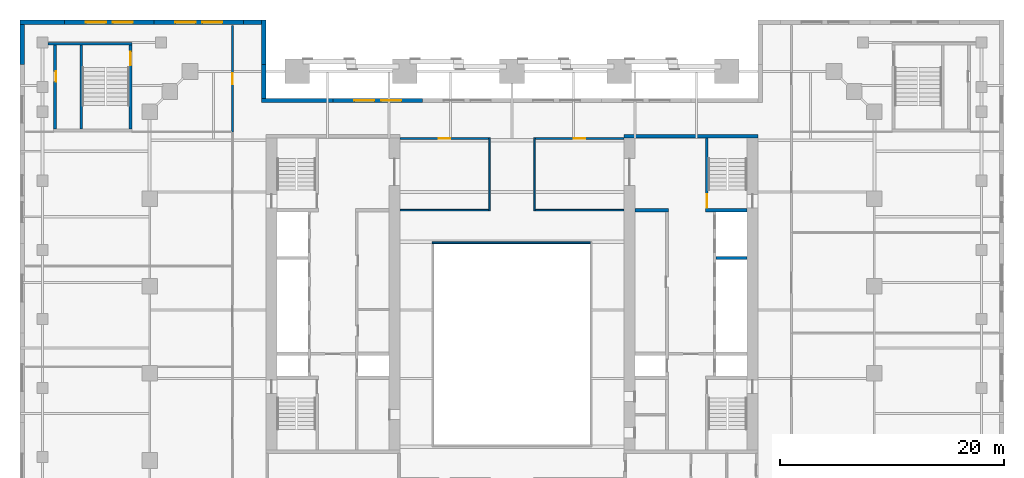
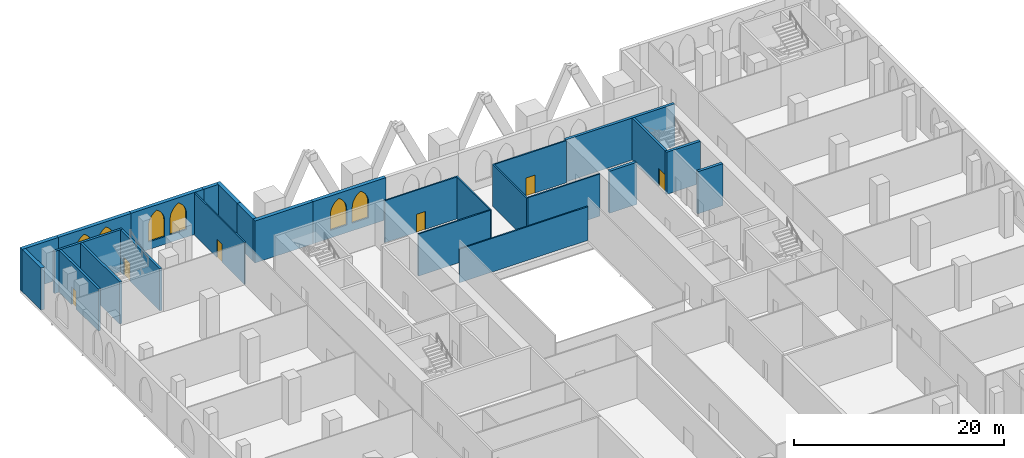
# One storey, part 16 of 22: 26 walls, 6 doors, 6 windows, 12 openings.
"""IFC4 building model written with IfcOpenShell, lengths in metres."""

from ifc_helpers import new_model, si_unit, direction, frame, frame_2d, origin, place, context, subcontext, project, spatial, polyline, rectangle, outline, extrude, material, layer, layer_set, type_object, element, fill, save


model = new_model("IFC4")

# Units and contexts
model_context = context("Model", 3, precision=1e-05, world=origin(), true_north=direction((0.0, 1.0)))
body_context = subcontext(model_context, "Body", "Model", "MODEL_VIEW")
ifc_project = project(units=[si_unit("LENGTHUNIT", "METRE"), si_unit("AREAUNIT", "SQUARE_METRE"), si_unit("VOLUMEUNIT", "CUBIC_METRE"), si_unit("PLANEANGLEUNIT", "RADIAN"), si_unit("MASSUNIT", "GRAM", prefix="KILO")], contexts=[model_context])

# Site, building, storey
site_placement = place(None, origin())
site = spatial("IfcSite", under=ifc_project, at=site_placement, CompositionType="ELEMENT")
building_placement = place(site_placement, origin())
building = spatial("IfcBuilding", under=site, at=building_placement, Name="Ogive Exchange Tower", CompositionType="ELEMENT")
storey_placement = place(building_placement, frame((0.0, 0.0, 14.0)))
storey = spatial("IfcBuildingStorey", under=building, at=storey_placement, Name="L02", CompositionType="ELEMENT", Elevation=14.0)

# Walls
ifc_material_1 = material(Name="Gypsum board partition")
ifc_layer_1 = layer(ifc_material_1, 0.300048828125)
ifc_layer_set_1 = layer_set([ifc_layer_1], Name="Core room partition 300 gypsum")
wall_type_1 = type_object("IfcWallType", Name="Core room partition 300 gypsum", PredefinedType="PARTITIONING", material=ifc_layer_set_1)
wall_1_placement = place(storey_placement, frame((11.0, 19.0, 0.0), z_axis=(0.0, 0.0, 1.0), x_axis=(1.0, 0.0, 0.0)))
element("IfcWall", 1, at=wall_1_placement, inside=storey, type_object=wall_type_1, Name="E row B room end wall 7", PredefinedType="PARTITIONING", context=body_context, shape_type="SweptSolid", body=[
    extrude(rectangle(XDim=3.0, YDim=0.300048828125, at=frame_2d((1.5, 0.0))), origin(), (0.0, 0.0, 1.0), 4.89990234375),
])
ifc_material_2 = material(Name="Fire partition EI 60 150")
ifc_layer_2 = layer(ifc_material_2, 0.14990234375)
ifc_layer_set_2 = layer_set([ifc_layer_2], Name="Fire partition EI 60 150")
wall_type_2 = type_object("IfcWallType", Name="Fire partition EI 60 150", PredefinedType="PARTITIONING", material=ifc_layer_set_2)
for number, where, z_axis, x_axis, name in (
    (2, (-10.0, 19.0, 0.0), (0.0, 0.0, 1.0), (1.0, 0.0, 0.0), "L02-PWL-029"),
    (3, (2.074951171875, 19.0, 0.0), (0.0, 0.0, 1.0), (1.0, 0.0, 0.0), "L02-PWL-030"),
):
    element("IfcWall", number, at=place(storey_placement, frame(where, z_axis=z_axis, x_axis=x_axis)), inside=storey, type_object=wall_type_2, Name=name, PredefinedType="PARTITIONING", context=body_context, shape_type="SweptSolid", body=[
        extrude(rectangle(XDim=7.925048828125, YDim=0.14990234375, at=frame_2d((3.96240234375, 0.0))), origin(), (0.0, 0.0, 1.0), 4.89990234375),
    ])

# Wall, opening, door
wall_2_placement = place(storey_placement, frame((-10.0, 25.39990234375, 0.0), z_axis=(0.0, 0.0, 1.0), x_axis=(1.0, 0.0, 0.0)))
wall_2 = element("IfcWall", 4, at=wall_2_placement, inside=storey, type_object=wall_type_2, Name="L02-PWL-031", PredefinedType="PARTITIONING", context=body_context, shape_type="SweptSolid", body=[
    extrude(rectangle(XDim=7.925048828125, YDim=0.14990234375, at=frame_2d((3.96240234375, 0.0))), origin(), (0.0, 0.0, 1.0), 4.89990234375),
])
opening_1_placement = place(wall_2_placement, frame((3.46240234375, 0.0, 0.0)))
opening_1 = element("IfcOpeningElement", 5, at=opening_1_placement, cuts=wall_2, Name="Opening L02-I23", PredefinedType="OPENING", context=body_context, shape_type="SweptSolid", body=[
    extrude(rectangle(XDim=1.0, YDim=2.10009765625, at=frame_2d((0.5, 1.050048828125))), frame((0.0, 0.0849609375, 0.0), z_axis=(0.0, -1.0, 0.0), x_axis=(1.0, 0.0, 0.0)), (0.0, 0.0, 1.0), 0.169921875),
])
ifc_material_3 = material(Name="Fire door FD 30S 1000 x 2100")
door_type_1 = type_object("IfcDoorType", Name="Fire door FD 30S 1000 x 2100", OperationType="NOTDEFINED", PredefinedType="DOOR", material=ifc_material_3)
door_1_placement = place(opening_1_placement, frame((1.0, 0.0, 0.0), z_axis=(0.0, 0.0, 1.0), x_axis=(-1.0, 0.0, 0.0)))
door_1 = element("IfcDoor", 6, at=door_1_placement, inside=storey, type_object=door_type_1, Name="L02-IDR-023", ObjectType="DT3", OperationType="SINGLE_SWING_RIGHT", OverallHeight=2.10009765625, OverallWidth=1.0, PredefinedType="DOOR", context=body_context, shape_type="SweptSolid", body=[
    extrude(rectangle(XDim=1.0, YDim=2.10009765625, at=frame_2d((0.5, 1.050048828125))), frame((0.0, 0.02490234375, 0.0), z_axis=(0.0, -1.0, 0.0), x_axis=(1.0, 0.0, 0.0)), (0.0, 0.0, 1.0), 0.050048828125),
])
fill(opening_1, door_1)

wall_3_placement = place(storey_placement, frame((2.074951171875, 25.39990234375, 0.0), z_axis=(0.0, 0.0, 1.0), x_axis=(1.0, 0.0, 0.0)))
wall_3 = element("IfcWall", 7, at=wall_3_placement, inside=storey, type_object=wall_type_2, Name="L02-PWL-032", PredefinedType="PARTITIONING", context=body_context, shape_type="SweptSolid", body=[
    extrude(rectangle(XDim=7.925048828125, YDim=0.14990234375, at=frame_2d((3.96240234375, 0.0))), origin(), (0.0, 0.0, 1.0), 4.89990234375),
])
opening_2_placement = place(wall_3_placement, frame((3.46240234375, 0.0, 0.0)))
opening_2 = element("IfcOpeningElement", 8, at=opening_2_placement, cuts=wall_3, Name="Opening L02-I24", PredefinedType="OPENING", context=body_context, shape_type="SweptSolid", body=[
    extrude(rectangle(XDim=1.0, YDim=2.10009765625, at=frame_2d((0.5, 1.050048828125))), frame((0.0, 0.0849609375, 0.0), z_axis=(0.0, -1.0, 0.0), x_axis=(1.0, 0.0, 0.0)), (0.0, 0.0, 1.0), 0.169921875),
])
door_2_placement = place(opening_2_placement, frame((1.0, 0.0, 0.0), z_axis=(0.0, 0.0, 1.0), x_axis=(-1.0, 0.0, 0.0)))
door_2 = element("IfcDoor", 9, at=door_2_placement, inside=storey, type_object=door_type_1, Name="L02-IDR-024", ObjectType="DT3", OperationType="SINGLE_SWING_LEFT", OverallHeight=2.10009765625, OverallWidth=1.0, PredefinedType="DOOR", context=body_context, shape_type="SweptSolid", body=[
    extrude(rectangle(XDim=1.0, YDim=2.10009765625, at=frame_2d((0.5, 1.050048828125))), frame((0.0, 0.02490234375, 0.0), z_axis=(0.0, -1.0, 0.0), x_axis=(1.0, 0.0, 0.0)), (0.0, 0.0, 1.0), 0.050048828125),
])
fill(opening_2, door_2)

wall_4_placement = place(storey_placement, frame((-25.0, 26.0, 0.0), z_axis=(0.0, 0.0, 1.0), x_axis=(0.0, 1.0, 0.0)))
wall_4 = element("IfcWall", 10, at=wall_4_placement, inside=storey, type_object=wall_type_2, Name="L02-PWL-046", PredefinedType="PARTITIONING", context=body_context, shape_type="SweptSolid", body=[
    extrude(rectangle(XDim=9.5, YDim=0.14990234375, at=frame_2d((4.75, 0.0))), origin(), (0.0, 0.0, 1.0), 4.89990234375),
])
opening_3_placement = place(wall_4_placement, frame((4.25, 0.0, 0.0)))
opening_3 = element("IfcOpeningElement", 11, at=opening_3_placement, cuts=wall_4, Name="Opening L02-I01", PredefinedType="OPENING", context=body_context, shape_type="SweptSolid", body=[
    extrude(rectangle(XDim=1.0, YDim=2.10009765625, at=frame_2d((0.5, 1.050048828125))), frame((0.0, 0.0849609375, 0.0), z_axis=(0.0, -1.0, 0.0), x_axis=(1.0, 0.0, 0.0)), (0.0, 0.0, 1.0), 0.169921875),
])
door_3_placement = place(opening_3_placement, origin())
door_3 = element("IfcDoor", 12, at=door_3_placement, inside=storey, type_object=door_type_1, Name="L02-IDR-001", ObjectType="DT3", OperationType="SINGLE_SWING_LEFT", OverallHeight=2.10009765625, OverallWidth=1.0, PredefinedType="DOOR", context=body_context, shape_type="SweptSolid", body=[
    extrude(rectangle(XDim=1.0, YDim=2.10009765625, at=frame_2d((0.5, 1.050048828125))), frame((0.0, 0.02490234375, 0.0), z_axis=(0.0, -1.0, 0.0), x_axis=(1.0, 0.0, 0.0)), (0.0, 0.0, 1.0), 0.050048828125),
])
fill(opening_3, door_3)

# Walls
for number, where, z_axis, x_axis, name in (
    (13, (-2.0, 18.925048828125, 0.0), (0.0, 0.0, 1.0), (0.0, 1.0, 0.0), "L02-PWL-050"),
    (14, (2.0, 18.925048828125, 0.0), (0.0, 0.0, 1.0), (0.0, 1.0, 0.0), "L02-PWL-052"),
):
    element("IfcWall", number, at=place(storey_placement, frame(where, z_axis=z_axis, x_axis=x_axis)), inside=storey, type_object=wall_type_2, Name=name, PredefinedType="PARTITIONING", context=body_context, shape_type="SweptSolid", body=[
        extrude(rectangle(XDim=6.550048828125, YDim=0.14990234375, at=frame_2d((3.27490234375, 0.0))), origin(), (0.0, 0.0, 1.0), 4.89990234375),
    ])
ifc_material_4 = material(Name="Fire-resisting glass in steel frame", Category="steel")
ifc_layer_3 = layer(ifc_material_4, 0.14990234375)
ifc_layer_set_3 = layer_set([ifc_layer_3], Name="Fire-rated glazed wall 150")
wall_type_3 = type_object("IfcWallType", Name="Fire-rated glazed wall 150", PredefinedType="STANDARD", material=ifc_layer_set_3)
wall_5_placement = place(storey_placement, frame((-7.14990234375, 16.074951171875, 0.0), z_axis=(0.0, 0.0, 1.0), x_axis=(1.0, 0.0, 0.0)))
element("IfcWall", 15, at=wall_5_placement, inside=storey, type_object=wall_type_3, Name="Nave enclosure wall 2", PredefinedType="STANDARD", context=body_context, shape_type="SweptSolid", body=[
    extrude(rectangle(XDim=14.14990234375, YDim=0.14990234375, at=frame_2d((7.074951171875, 0.0))), origin(), (0.0, 0.0, 1.0), 3.919921875),
])

# Wall, openings, windows
ifc_material_5 = material(Name="Precast concrete C40/50", Category="concrete")
ifc_layer_4 = layer(ifc_material_5, 0.39990234375)
ifc_layer_set_4 = layer_set([ifc_layer_4], Name="Limestone-faced wall 400")
wall_type_4 = type_object("IfcWallType", Name="Limestone-faced wall 400", PredefinedType="STANDARD", material=ifc_layer_set_4)
wall_6_placement = place(storey_placement, frame((-8.0, 28.800048828125, 0.0), z_axis=(0.0, 0.0, 1.0), x_axis=(-1.0, 0.0, 0.0)))
wall_6 = element("IfcWall", 16, at=wall_6_placement, inside=storey, type_object=wall_type_4, Name="Podium wall B5", PredefinedType="STANDARD", context=body_context, shape_type="SweptSolid", body=[
    extrude(rectangle(XDim=8.0, YDim=0.39990234375, at=frame_2d((4.0, 0.0))), origin(), (0.0, 0.0, 1.0), 4.89990234375),
])
opening_4_placement = place(wall_6_placement, frame((1.89990234375, 0.0, 0.89990234375)))
opening_4 = element("IfcOpeningElement", 17, at=opening_4_placement, cuts=wall_6, Name="Opening WQ340", PredefinedType="OPENING", context=body_context, shape_type="SweptSolid", body=[
    extrude(outline(polyline([(0.0, 0.0), (1.800048828125, 0.0), (1.800048828125, 1.841064453125), (1.78466796875, 2.075927734375), (1.73876953125, 2.306884765625), (1.6630859375, 2.52978515625), (1.558837890625, 2.740966796875), (1.427978515625, 2.936767578125), (1.272705078125, 3.11376953125), (1.095703125, 3.26904296875), (0.89990234375, 3.39990234375), (0.704345703125, 3.26904296875), (0.52734375, 3.11376953125), (0.3720703125, 2.936767578125), (0.2412109375, 2.740966796875), (0.136962890625, 2.52978515625), (0.061279296875, 2.306884765625), (0.015380859375, 2.075927734375), (0.0, 1.841064453125), (0.0, 0.0)])), frame((0.0, 0.2099609375, 0.0), z_axis=(0.0, -1.0, 0.0), x_axis=(1.0, 0.0, 0.0)), (0.0, 0.0, 1.0), 0.419921875),
])
opening_5_placement = place(wall_6_placement, frame((4.300048828125, 0.0, 0.89990234375)))
opening_5 = element("IfcOpeningElement", 18, at=opening_5_placement, cuts=wall_6, Name="Opening WQ340", PredefinedType="OPENING", context=body_context, shape_type="SweptSolid", body=[
    extrude(outline(polyline([(0.0, 0.0), (1.800048828125, 0.0), (1.800048828125, 1.841064453125), (1.78466796875, 2.075927734375), (1.73876953125, 2.306884765625), (1.6630859375, 2.52978515625), (1.558837890625, 2.740966796875), (1.427978515625, 2.936767578125), (1.272705078125, 3.11376953125), (1.095703125, 3.26904296875), (0.89990234375, 3.39990234375), (0.704345703125, 3.26904296875), (0.52734375, 3.11376953125), (0.3720703125, 2.936767578125), (0.2412109375, 2.740966796875), (0.136962890625, 2.52978515625), (0.061279296875, 2.306884765625), (0.015380859375, 2.075927734375), (0.0, 1.841064453125), (0.0, 0.0)])), frame((0.0, 0.2099609375, 0.0), z_axis=(0.0, -1.0, 0.0), x_axis=(1.0, 0.0, 0.0)), (0.0, 0.0, 1.0), 0.419921875),
])
ifc_material_6 = material(Name="Clear glass in bronze frame", Category="glass")
window_type = type_object("IfcWindowType", Name="Podium paired lancet 1800 x 3400", PartitioningType="DOUBLE_PANEL_VERTICAL", PredefinedType="WINDOW", material=ifc_material_6)
window_1_placement = place(opening_4_placement, origin())
window_1 = element("IfcWindow", 19, at=window_1_placement, inside=storey, type_object=window_type, Name="Podium paired lancet B5.1", OverallHeight=3.39990234375, OverallWidth=1.800048828125, PartitioningType="DOUBLE_PANEL_VERTICAL", PredefinedType="WINDOW", context=body_context, shape_type="SweptSolid", body=[
    extrude(outline(polyline([(0.0, 0.0), (1.800048828125, 0.0), (1.800048828125, 1.841064453125), (1.78466796875, 2.075927734375), (1.73876953125, 2.306884765625), (1.6630859375, 2.52978515625), (1.558837890625, 2.740966796875), (1.427978515625, 2.936767578125), (1.272705078125, 3.11376953125), (1.095703125, 3.26904296875), (0.89990234375, 3.39990234375), (0.704345703125, 3.26904296875), (0.52734375, 3.11376953125), (0.3720703125, 2.936767578125), (0.2412109375, 2.740966796875), (0.136962890625, 2.52978515625), (0.061279296875, 2.306884765625), (0.015380859375, 2.075927734375), (0.0, 1.841064453125), (0.0, 0.0)])), frame((0.0, 0.030029296875, 0.0), z_axis=(0.0, -1.0, 0.0), x_axis=(1.0, 0.0, 0.0)), (0.0, 0.0, 1.0), 0.06005859375),
])
fill(opening_4, window_1)
window_2_placement = place(opening_5_placement, origin())
window_2 = element("IfcWindow", 20, at=window_2_placement, inside=storey, type_object=window_type, Name="Podium paired lancet B5.2", OverallHeight=3.39990234375, OverallWidth=1.800048828125, PartitioningType="DOUBLE_PANEL_VERTICAL", PredefinedType="WINDOW", context=body_context, shape_type="SweptSolid", body=[
    extrude(outline(polyline([(0.0, 0.0), (1.800048828125, 0.0), (1.800048828125, 1.841064453125), (1.78466796875, 2.075927734375), (1.73876953125, 2.306884765625), (1.6630859375, 2.52978515625), (1.558837890625, 2.740966796875), (1.427978515625, 2.936767578125), (1.272705078125, 3.11376953125), (1.095703125, 3.26904296875), (0.89990234375, 3.39990234375), (0.704345703125, 3.26904296875), (0.52734375, 3.11376953125), (0.3720703125, 2.936767578125), (0.2412109375, 2.740966796875), (0.136962890625, 2.52978515625), (0.061279296875, 2.306884765625), (0.015380859375, 2.075927734375), (0.0, 1.841064453125), (0.0, 0.0)])), frame((0.0, 0.030029296875, 0.0), z_axis=(0.0, -1.0, 0.0), x_axis=(1.0, 0.0, 0.0)), (0.0, 0.0, 1.0), 0.06005859375),
])
fill(opening_5, window_2)

# Walls
wall_7_placement = place(storey_placement, frame((-16.0, 28.800048828125, 0.0), z_axis=(0.0, 0.0, 1.0), x_axis=(-1.0, 0.0, 0.0)))
element("IfcWall", 21, at=wall_7_placement, inside=storey, type_object=wall_type_4, Name="Podium wall B6", PredefinedType="STANDARD", context=body_context, shape_type="SweptSolid", body=[
    extrude(rectangle(XDim=6.39990234375, YDim=0.39990234375, at=frame_2d((3.199951171875, 0.0))), origin(), (0.0, 0.0, 1.0), 4.89990234375),
])
wall_8_placement = place(storey_placement, frame((-22.199951171875, 29.0, 0.0), z_axis=(0.0, 0.0, 1.0), x_axis=(0.0, 1.0, 0.0)))
element("IfcWall", 22, at=wall_8_placement, inside=storey, type_object=wall_type_4, Name="Podium wall J1", PredefinedType="STANDARD", context=body_context, shape_type="SweptSolid", body=[
    extrude(rectangle(XDim=3.0, YDim=0.39990234375, at=frame_2d((1.5, 0.0))), origin(), (0.0, 0.0, 1.0), 4.89990234375),
])
wall_9_placement = place(storey_placement, frame((-22.199951171875, 32.0, 0.0), z_axis=(0.0, 0.0, 1.0), x_axis=(0.0, 1.0, 0.0)))
element("IfcWall", 23, at=wall_9_placement, inside=storey, type_object=wall_type_4, Name="Podium wall J2", PredefinedType="STANDARD", context=body_context, shape_type="SweptSolid", body=[
    extrude(rectangle(XDim=4.0, YDim=0.39990234375, at=frame_2d((2.0, 0.0))), origin(), (0.0, 0.0, 1.0), 4.89990234375),
])
wall_10_placement = place(storey_placement, frame((-22.39990234375, 35.800048828125, 0.0), z_axis=(0.0, 0.0, 1.0), x_axis=(-1.0, 0.0, 0.0)))
element("IfcWall", 24, at=wall_10_placement, inside=storey, type_object=wall_type_4, Name="Podium wall M1", PredefinedType="STANDARD", context=body_context, shape_type="SweptSolid", body=[
    extrude(rectangle(XDim=1.60009765625, YDim=0.39990234375, at=frame_2d((0.800048828125, 0.0))), origin(), (0.0, 0.0, 1.0), 4.89990234375),
])

# Wall, openings, windows
wall_11_placement = place(storey_placement, frame((-24.0, 35.800048828125, 0.0), z_axis=(0.0, 0.0, 1.0), x_axis=(-1.0, 0.0, 0.0)))
wall_11 = element("IfcWall", 25, at=wall_11_placement, inside=storey, type_object=wall_type_4, Name="Podium wall M2", PredefinedType="STANDARD", context=body_context, shape_type="SweptSolid", body=[
    extrude(rectangle(XDim=8.0, YDim=0.39990234375, at=frame_2d((4.0, 0.0))), origin(), (0.0, 0.0, 1.0), 4.89990234375),
])
opening_6_placement = place(wall_11_placement, frame((1.89990234375, 0.0, 0.89990234375)))
opening_6 = element("IfcOpeningElement", 26, at=opening_6_placement, cuts=wall_11, Name="Opening WQ340", PredefinedType="OPENING", context=body_context, shape_type="SweptSolid", body=[
    extrude(outline(polyline([(0.0, 0.0), (1.800048828125, 0.0), (1.800048828125, 1.841064453125), (1.78466796875, 2.075927734375), (1.73876953125, 2.306884765625), (1.6630859375, 2.52978515625), (1.558837890625, 2.740966796875), (1.427978515625, 2.936767578125), (1.272705078125, 3.11376953125), (1.095703125, 3.26904296875), (0.89990234375, 3.39990234375), (0.704345703125, 3.26904296875), (0.52734375, 3.11376953125), (0.3720703125, 2.936767578125), (0.2412109375, 2.740966796875), (0.136962890625, 2.52978515625), (0.061279296875, 2.306884765625), (0.015380859375, 2.075927734375), (0.0, 1.841064453125), (0.0, 0.0)])), frame((0.0, 0.2099609375, 0.0), z_axis=(0.0, -1.0, 0.0), x_axis=(1.0, 0.0, 0.0)), (0.0, 0.0, 1.0), 0.419921875),
])
opening_7_placement = place(wall_11_placement, frame((4.300048828125, 0.0, 0.89990234375)))
opening_7 = element("IfcOpeningElement", 27, at=opening_7_placement, cuts=wall_11, Name="Opening WQ340", PredefinedType="OPENING", context=body_context, shape_type="SweptSolid", body=[
    extrude(outline(polyline([(0.0, 0.0), (1.800048828125, 0.0), (1.800048828125, 1.841064453125), (1.78466796875, 2.075927734375), (1.73876953125, 2.306884765625), (1.6630859375, 2.52978515625), (1.558837890625, 2.740966796875), (1.427978515625, 2.936767578125), (1.272705078125, 3.11376953125), (1.095703125, 3.26904296875), (0.89990234375, 3.39990234375), (0.704345703125, 3.26904296875), (0.52734375, 3.11376953125), (0.3720703125, 2.936767578125), (0.2412109375, 2.740966796875), (0.136962890625, 2.52978515625), (0.061279296875, 2.306884765625), (0.015380859375, 2.075927734375), (0.0, 1.841064453125), (0.0, 0.0)])), frame((0.0, 0.2099609375, 0.0), z_axis=(0.0, -1.0, 0.0), x_axis=(1.0, 0.0, 0.0)), (0.0, 0.0, 1.0), 0.419921875),
])
window_3_placement = place(opening_6_placement, origin())
window_3 = element("IfcWindow", 28, at=window_3_placement, inside=storey, type_object=window_type, Name="Podium paired lancet M2.1", OverallHeight=3.39990234375, OverallWidth=1.800048828125, PartitioningType="DOUBLE_PANEL_VERTICAL", PredefinedType="WINDOW", context=body_context, shape_type="SweptSolid", body=[
    extrude(outline(polyline([(0.0, 0.0), (1.800048828125, 0.0), (1.800048828125, 1.841064453125), (1.78466796875, 2.075927734375), (1.73876953125, 2.306884765625), (1.6630859375, 2.52978515625), (1.558837890625, 2.740966796875), (1.427978515625, 2.936767578125), (1.272705078125, 3.11376953125), (1.095703125, 3.26904296875), (0.89990234375, 3.39990234375), (0.704345703125, 3.26904296875), (0.52734375, 3.11376953125), (0.3720703125, 2.936767578125), (0.2412109375, 2.740966796875), (0.136962890625, 2.52978515625), (0.061279296875, 2.306884765625), (0.015380859375, 2.075927734375), (0.0, 1.841064453125), (0.0, 0.0)])), frame((0.0, 0.030029296875, 0.0), z_axis=(0.0, -1.0, 0.0), x_axis=(1.0, 0.0, 0.0)), (0.0, 0.0, 1.0), 0.06005859375),
])
fill(opening_6, window_3)
window_4_placement = place(opening_7_placement, origin())
window_4 = element("IfcWindow", 29, at=window_4_placement, inside=storey, type_object=window_type, Name="Podium paired lancet M2.2", OverallHeight=3.39990234375, OverallWidth=1.800048828125, PartitioningType="DOUBLE_PANEL_VERTICAL", PredefinedType="WINDOW", context=body_context, shape_type="SweptSolid", body=[
    extrude(outline(polyline([(0.0, 0.0), (1.800048828125, 0.0), (1.800048828125, 1.841064453125), (1.78466796875, 2.075927734375), (1.73876953125, 2.306884765625), (1.6630859375, 2.52978515625), (1.558837890625, 2.740966796875), (1.427978515625, 2.936767578125), (1.272705078125, 3.11376953125), (1.095703125, 3.26904296875), (0.89990234375, 3.39990234375), (0.704345703125, 3.26904296875), (0.52734375, 3.11376953125), (0.3720703125, 2.936767578125), (0.2412109375, 2.740966796875), (0.136962890625, 2.52978515625), (0.061279296875, 2.306884765625), (0.015380859375, 2.075927734375), (0.0, 1.841064453125), (0.0, 0.0)])), frame((0.0, 0.030029296875, 0.0), z_axis=(0.0, -1.0, 0.0), x_axis=(1.0, 0.0, 0.0)), (0.0, 0.0, 1.0), 0.06005859375),
])
fill(opening_7, window_4)

wall_12_placement = place(storey_placement, frame((-32.0, 35.800048828125, 0.0), z_axis=(0.0, 0.0, 1.0), x_axis=(-1.0, 0.0, 0.0)))
wall_12 = element("IfcWall", 30, at=wall_12_placement, inside=storey, type_object=wall_type_4, Name="Podium wall M3", PredefinedType="STANDARD", context=body_context, shape_type="SweptSolid", body=[
    extrude(rectangle(XDim=8.0, YDim=0.39990234375, at=frame_2d((4.0, 0.0))), origin(), (0.0, 0.0, 1.0), 4.89990234375),
])
opening_8_placement = place(wall_12_placement, frame((1.89990234375, 0.0, 0.89990234375)))
opening_8 = element("IfcOpeningElement", 31, at=opening_8_placement, cuts=wall_12, Name="Opening WQ340", PredefinedType="OPENING", context=body_context, shape_type="SweptSolid", body=[
    extrude(outline(polyline([(0.0, 0.0), (1.800048828125, 0.0), (1.800048828125, 1.841064453125), (1.78466796875, 2.075927734375), (1.73876953125, 2.306884765625), (1.6630859375, 2.52978515625), (1.558837890625, 2.740966796875), (1.427978515625, 2.936767578125), (1.272705078125, 3.11376953125), (1.095703125, 3.26904296875), (0.89990234375, 3.39990234375), (0.704345703125, 3.26904296875), (0.52734375, 3.11376953125), (0.3720703125, 2.936767578125), (0.2412109375, 2.740966796875), (0.136962890625, 2.52978515625), (0.061279296875, 2.306884765625), (0.015380859375, 2.075927734375), (0.0, 1.841064453125), (0.0, 0.0)])), frame((0.0, 0.2099609375, 0.0), z_axis=(0.0, -1.0, 0.0), x_axis=(1.0, 0.0, 0.0)), (0.0, 0.0, 1.0), 0.419921875),
])
opening_9_placement = place(wall_12_placement, frame((4.300048828125, 0.0, 0.89990234375)))
opening_9 = element("IfcOpeningElement", 32, at=opening_9_placement, cuts=wall_12, Name="Opening WQ340", PredefinedType="OPENING", context=body_context, shape_type="SweptSolid", body=[
    extrude(outline(polyline([(0.0, 0.0), (1.800048828125, 0.0), (1.800048828125, 1.841064453125), (1.78466796875, 2.075927734375), (1.73876953125, 2.306884765625), (1.6630859375, 2.52978515625), (1.558837890625, 2.740966796875), (1.427978515625, 2.936767578125), (1.272705078125, 3.11376953125), (1.095703125, 3.26904296875), (0.89990234375, 3.39990234375), (0.704345703125, 3.26904296875), (0.52734375, 3.11376953125), (0.3720703125, 2.936767578125), (0.2412109375, 2.740966796875), (0.136962890625, 2.52978515625), (0.061279296875, 2.306884765625), (0.015380859375, 2.075927734375), (0.0, 1.841064453125), (0.0, 0.0)])), frame((0.0, 0.2099609375, 0.0), z_axis=(0.0, -1.0, 0.0), x_axis=(1.0, 0.0, 0.0)), (0.0, 0.0, 1.0), 0.419921875),
])
window_5_placement = place(opening_8_placement, origin())
window_5 = element("IfcWindow", 33, at=window_5_placement, inside=storey, type_object=window_type, Name="Podium paired lancet M3.1", OverallHeight=3.39990234375, OverallWidth=1.800048828125, PartitioningType="DOUBLE_PANEL_VERTICAL", PredefinedType="WINDOW", context=body_context, shape_type="SweptSolid", body=[
    extrude(outline(polyline([(0.0, 0.0), (1.800048828125, 0.0), (1.800048828125, 1.841064453125), (1.78466796875, 2.075927734375), (1.73876953125, 2.306884765625), (1.6630859375, 2.52978515625), (1.558837890625, 2.740966796875), (1.427978515625, 2.936767578125), (1.272705078125, 3.11376953125), (1.095703125, 3.26904296875), (0.89990234375, 3.39990234375), (0.704345703125, 3.26904296875), (0.52734375, 3.11376953125), (0.3720703125, 2.936767578125), (0.2412109375, 2.740966796875), (0.136962890625, 2.52978515625), (0.061279296875, 2.306884765625), (0.015380859375, 2.075927734375), (0.0, 1.841064453125), (0.0, 0.0)])), frame((0.0, 0.030029296875, 0.0), z_axis=(0.0, -1.0, 0.0), x_axis=(1.0, 0.0, 0.0)), (0.0, 0.0, 1.0), 0.06005859375),
])
fill(opening_8, window_5)
window_6_placement = place(opening_9_placement, origin())
window_6 = element("IfcWindow", 34, at=window_6_placement, inside=storey, type_object=window_type, Name="Podium paired lancet M3.2", OverallHeight=3.39990234375, OverallWidth=1.800048828125, PartitioningType="DOUBLE_PANEL_VERTICAL", PredefinedType="WINDOW", context=body_context, shape_type="SweptSolid", body=[
    extrude(outline(polyline([(0.0, 0.0), (1.800048828125, 0.0), (1.800048828125, 1.841064453125), (1.78466796875, 2.075927734375), (1.73876953125, 2.306884765625), (1.6630859375, 2.52978515625), (1.558837890625, 2.740966796875), (1.427978515625, 2.936767578125), (1.272705078125, 3.11376953125), (1.095703125, 3.26904296875), (0.89990234375, 3.39990234375), (0.704345703125, 3.26904296875), (0.52734375, 3.11376953125), (0.3720703125, 2.936767578125), (0.2412109375, 2.740966796875), (0.136962890625, 2.52978515625), (0.061279296875, 2.306884765625), (0.015380859375, 2.075927734375), (0.0, 1.841064453125), (0.0, 0.0)])), frame((0.0, 0.030029296875, 0.0), z_axis=(0.0, -1.0, 0.0), x_axis=(1.0, 0.0, 0.0)), (0.0, 0.0, 1.0), 0.06005859375),
])
fill(opening_9, window_6)

# Walls
wall_13_placement = place(storey_placement, frame((-40.0, 35.800048828125, 0.0), z_axis=(0.0, 0.0, 1.0), x_axis=(-1.0, 0.0, 0.0)))
element("IfcWall", 35, at=wall_13_placement, inside=storey, type_object=wall_type_4, Name="Podium wall M4", PredefinedType="STANDARD", context=body_context, shape_type="SweptSolid", body=[
    extrude(rectangle(XDim=4.0, YDim=0.39990234375, at=frame_2d((2.0, 0.0))), origin(), (0.0, 0.0, 1.0), 4.89990234375),
])
wall_14_placement = place(storey_placement, frame((-43.800048828125, 35.60009765625, 0.0), z_axis=(0.0, 0.0, 1.0), x_axis=(0.0, -1.0, 0.0)))
element("IfcWall", 36, at=wall_14_placement, inside=storey, type_object=wall_type_4, Name="Podium wall W1", PredefinedType="STANDARD", context=body_context, shape_type="SweptSolid", body=[
    extrude(rectangle(XDim=3.60009765625, YDim=0.39990234375, at=frame_2d((1.800048828125, 0.0))), origin(), (0.0, 0.0, 1.0), 4.89990234375),
])

# Wall, opening, door
ifc_material_7 = material(Name="Concrete C70/85", Category="concrete")
ifc_layer_5 = layer(ifc_material_7, 0.25)
ifc_layer_set_5 = layer_set([ifc_layer_5], Name="RC core wall 250 C70/85")
wall_type_5 = type_object("IfcWallType", Name="RC core wall 250 C70/85", PredefinedType="SHEAR", material=ifc_layer_set_5)
wall_15_placement = place(storey_placement, frame((17.425048828125, 19.14990234375, 0.0), z_axis=(0.0, 0.0, 1.0), x_axis=(0.0, 1.0, 0.0)))
wall_15 = element("IfcWall", 37, at=wall_15_placement, inside=storey, type_object=wall_type_5, Name="E stair N front wall", PredefinedType="SHEAR", context=body_context, shape_type="SweptSolid", body=[
    extrude(rectangle(XDim=6.300048828125, YDim=0.25, at=frame_2d((3.14990234375, 0.0))), origin(), (0.0, 0.0, 1.0), 4.89990234375),
])
opening_10_placement = place(wall_15_placement, frame((0.050048828125, 0.0, 0.0)))
opening_10 = element("IfcOpeningElement", 38, at=opening_10_placement, cuts=wall_15, Name="Opening L02-C35", PredefinedType="OPENING", context=body_context, shape_type="SweptSolid", body=[
    extrude(rectangle(XDim=1.199951171875, YDim=2.10009765625, at=frame_2d((0.60009765625, 1.050048828125))), frame((0.0, 0.135009765625, 0.0), z_axis=(0.0, -1.0, 0.0), x_axis=(1.0, 0.0, 0.0)), (0.0, 0.0, 1.0), 0.27001953125),
])
ifc_material_8 = material(Name="Steel fire door", Category="steel")
door_type_2 = type_object("IfcDoorType", Name="Stair door FD90 1200 x 2100", OperationType="NOTDEFINED", PredefinedType="DOOR", material=ifc_material_8)
door_4_placement = place(opening_10_placement, frame((1.199951171875, 0.0, 0.0), z_axis=(0.0, 0.0, 1.0), x_axis=(-1.0, 0.0, 0.0)))
door_4 = element("IfcDoor", 39, at=door_4_placement, inside=storey, type_object=door_type_2, Name="Stair door", ObjectType="CD5", OperationType="SINGLE_SWING_LEFT", OverallHeight=2.10009765625, OverallWidth=1.199951171875, PredefinedType="DOOR", context=body_context, shape_type="SweptSolid", body=[
    extrude(rectangle(XDim=1.199951171875, YDim=2.10009765625, at=frame_2d((0.60009765625, 1.050048828125))), frame((0.0, 0.02490234375, 0.0), z_axis=(0.0, -1.0, 0.0), x_axis=(1.0, 0.0, 0.0)), (0.0, 0.0, 1.0), 0.050048828125),
])
fill(opening_10, door_4)

# Wall
wall_16_placement = place(storey_placement, frame((-41.5, 33.875, 0.0), z_axis=(0.0, 0.0, 1.0), x_axis=(1.0, 0.0, 0.0)))
element("IfcWall", 40, at=wall_16_placement, inside=storey, type_object=wall_type_5, Name="PS3 north wall", PredefinedType="SHEAR", context=body_context, shape_type="SweptSolid", body=[
    extrude(rectangle(XDim=7.5, YDim=0.25, at=frame_2d((3.75, 0.0))), origin(), (0.0, 0.0, 1.0), 4.89990234375),
])

# Wall, opening, door
wall_17_placement = place(storey_placement, frame((-40.875, 26.25, 0.0), z_axis=(0.0, 0.0, 1.0), x_axis=(0.0, 1.0, 0.0)))
wall_17 = element("IfcWall", 41, at=wall_17_placement, inside=storey, type_object=wall_type_5, Name="PS3 west wall", PredefinedType="SHEAR", context=body_context, shape_type="SweptSolid", body=[
    extrude(rectangle(XDim=7.5, YDim=0.25, at=frame_2d((3.75, 0.0))), origin(), (0.0, 0.0, 1.0), 4.89990234375),
])
opening_11_placement = place(wall_17_placement, frame((4.25, 0.0, 0.0)))
opening_11 = element("IfcOpeningElement", 42, at=opening_11_placement, cuts=wall_17, Name="Opening L02-C49", PredefinedType="OPENING", context=body_context, shape_type="SweptSolid", body=[
    extrude(rectangle(XDim=0.89990234375, YDim=2.10009765625, at=frame_2d((0.449951171875, 1.050048828125))), frame((0.0, 0.135009765625, 0.0), z_axis=(0.0, -1.0, 0.0), x_axis=(1.0, 0.0, 0.0)), (0.0, 0.0, 1.0), 0.27001953125),
])
door_type_3 = type_object("IfcDoorType", Name="Riser door FD60 900 x 2100", OperationType="NOTDEFINED", PredefinedType="DOOR", material=ifc_material_8)
door_5_placement = place(opening_11_placement, origin())
door_5 = element("IfcDoor", 43, at=door_5_placement, inside=storey, type_object=door_type_3, Name="Riser door", ObjectType="CD2", OperationType="SINGLE_SWING_LEFT", OverallHeight=2.10009765625, OverallWidth=0.89990234375, PredefinedType="DOOR", context=body_context, shape_type="SweptSolid", body=[
    extrude(rectangle(XDim=0.89990234375, YDim=2.10009765625, at=frame_2d((0.449951171875, 1.050048828125))), frame((0.0, -0.0751953125, 0.0), z_axis=(0.0, -1.0, 0.0), x_axis=(1.0, 0.0, 0.0)), (0.0, 0.0, 1.0), 0.050048828125),
])
fill(opening_11, door_5)

wall_18_placement = place(storey_placement, frame((-34.125, 26.25, 0.0), z_axis=(0.0, 0.0, 1.0), x_axis=(0.0, 1.0, 0.0)))
wall_18 = element("IfcWall", 44, at=wall_18_placement, inside=storey, type_object=wall_type_5, Name="PS3 east wall", PredefinedType="SHEAR", context=body_context, shape_type="SweptSolid", body=[
    extrude(rectangle(XDim=7.5, YDim=0.25, at=frame_2d((3.75, 0.0))), origin(), (0.0, 0.0, 1.0), 4.89990234375),
])
opening_12_placement = place(wall_18_placement, frame((5.699951171875, 0.0, 0.0)))
opening_12 = element("IfcOpeningElement", 45, at=opening_12_placement, cuts=wall_18, Name="Opening L02-C48", PredefinedType="OPENING", context=body_context, shape_type="SweptSolid", body=[
    extrude(rectangle(XDim=1.199951171875, YDim=2.10009765625, at=frame_2d((0.60009765625, 1.050048828125))), frame((0.0, 0.135009765625, 0.0), z_axis=(0.0, -1.0, 0.0), x_axis=(1.0, 0.0, 0.0)), (0.0, 0.0, 1.0), 0.27001953125),
])
door_6_placement = place(opening_12_placement, origin())
door_6 = element("IfcDoor", 46, at=door_6_placement, inside=storey, type_object=door_type_2, Name="Stair door", ObjectType="CD5", OperationType="SINGLE_SWING_LEFT", OverallHeight=2.10009765625, OverallWidth=1.199951171875, PredefinedType="DOOR", context=body_context, shape_type="SweptSolid", body=[
    extrude(rectangle(XDim=1.199951171875, YDim=2.10009765625, at=frame_2d((0.60009765625, 1.050048828125))), frame((0.0, 0.02490234375, 0.0), z_axis=(0.0, -1.0, 0.0), x_axis=(1.0, 0.0, 0.0)), (0.0, 0.0, 1.0), 0.050048828125),
])
fill(opening_12, door_6)

# Walls
wall_19_placement = place(storey_placement, frame((-38.52490234375, 26.25, 0.0), z_axis=(0.0, 0.0, 1.0), x_axis=(0.0, 1.0, 0.0)))
element("IfcWall", 47, at=wall_19_placement, inside=storey, type_object=wall_type_5, Name="PS3 partition wall", PredefinedType="SHEAR", context=body_context, shape_type="SweptSolid", body=[
    extrude(rectangle(XDim=7.5, YDim=0.25, at=frame_2d((3.75, 0.0))), origin(), (0.0, 0.0, 1.0), 4.89990234375),
])
ifc_layer_6 = layer(ifc_material_7, 0.300048828125)
ifc_layer_set_6 = layer_set([ifc_layer_6], Name="RC core wall 300 C70/85")
wall_type_6 = type_object("IfcWallType", Name="RC core wall 300 C70/85", PredefinedType="SHEAR", material=ifc_layer_set_6)
wall_20_placement = place(storey_placement, frame((10.0, 25.60009765625, 0.0), z_axis=(0.0, 0.0, 1.0), x_axis=(1.0, 0.0, 0.0)))
element("IfcWall", 48, at=wall_20_placement, inside=storey, type_object=wall_type_6, Name="E north end wall", PredefinedType="SHEAR", context=body_context, shape_type="SweptSolid", body=[
    extrude(rectangle(XDim=12.0, YDim=0.300048828125, at=frame_2d((6.0, 0.0))), origin(), (0.0, 0.0, 1.0), 4.89990234375),
])
wall_21_placement = place(storey_placement, frame((17.300048828125, 19.0, 0.0), z_axis=(0.0, 0.0, 1.0), x_axis=(1.0, 0.0, 0.0)))
element("IfcWall", 49, at=wall_21_placement, inside=storey, type_object=wall_type_6, Name="E stair N south wall", PredefinedType="SHEAR", context=body_context, shape_type="SweptSolid", body=[
    extrude(rectangle(XDim=3.699951171875, YDim=0.300048828125, at=frame_2d((1.85009765625, 0.0))), origin(), (0.0, 0.0, 1.0), 4.89990234375),
])
wall_22_placement = place(storey_placement, frame((18.25, 14.71435546875, 0.0), z_axis=(0.0, 0.0, 1.0), x_axis=(1.0, 0.0, 0.0)))
element("IfcWall", 50, at=wall_22_placement, inside=storey, type_object=wall_type_6, Name="E row A divider 5", PredefinedType="SHEAR", context=body_context, shape_type="SweptSolid", body=[
    extrude(rectangle(XDim=2.75, YDim=0.300048828125, at=frame_2d((1.375, 0.0))), origin(), (0.0, 0.0, 1.0), 4.89990234375),
])

save(model, "model.ifc")
